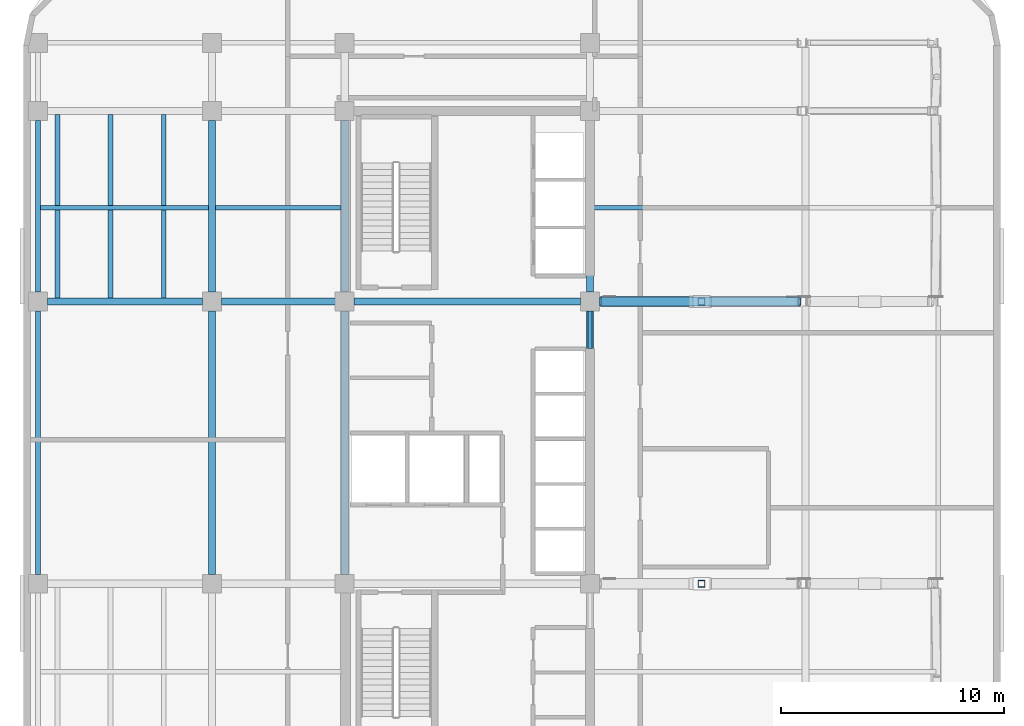
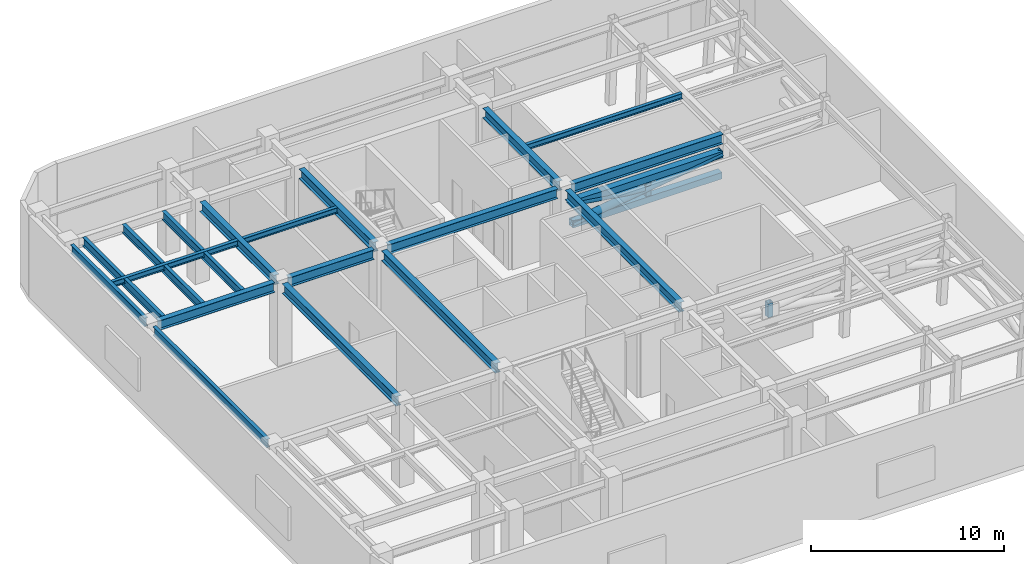
# One storey, part 2 of 12: 19 beams, 6 members.
"""IFC4 building model written with IfcOpenShell, lengths in metres."""

from ifc_helpers import new_model, si_unit, direction, frame, origin, origin_2d, place, context, subcontext, project, spatial, hollow_rectangle, hollow_circle, i_section, extrude, material, material_profile, profile_set, type_object, element, save


model = new_model("IFC4")

# Units and contexts
model_context = context("Model", 3, precision=1e-05, world=origin(), true_north=direction((0.0, 1.0)))
body_context = subcontext(model_context, "Body", "Model", "MODEL_VIEW")
ifc_project = project(units=[si_unit("LENGTHUNIT", "METRE"), si_unit("AREAUNIT", "SQUARE_METRE"), si_unit("VOLUMEUNIT", "CUBIC_METRE"), si_unit("PLANEANGLEUNIT", "RADIAN"), si_unit("MASSUNIT", "GRAM", prefix="KILO")], contexts=[model_context])

# Site, building, storey
site_placement = place(None, origin())
site = spatial("IfcSite", under=ifc_project, at=site_placement, CompositionType="ELEMENT")
building_placement = place(site_placement, origin())
building = spatial("IfcBuilding", under=site, at=building_placement, Name="Ochreholt Gables", CompositionType="ELEMENT")
storey_placement = place(building_placement, frame((0.0, 0.0, 135.60009765625)))
storey = spatial("IfcBuildingStorey", under=building, at=storey_placement, Name="L35", CompositionType="ELEMENT", Elevation=135.60009765625)

# Beams
ifc_material = material(Name="Steel CSA G40.21 350W", Category="steel")
ifc_material_profile_1 = material_profile(ifc_material, i_section(OverallWidth=0.2109375, OverallDepth=0.5390625, WebThickness=0.01171875, FlangeThickness=0.018798828125, at=origin_2d()), Name="W530X109")
ifc_profile_set_1 = profile_set([ifc_material_profile_1], Name="Steel CSA G40.21 350W")
beam_type_1 = type_object("IfcBeamType", Name="BM-G-W530A", PredefinedType="BEAM", material=ifc_profile_set_1)
for number, where, z_axis, x_axis, name in (
    (1, (11.320068359375, 30.361572265625, 4.890380859375), (0.0, 1.0, 0.0), (-1.0, 0.0, 0.0), "L35 Beam BTG-L35-36W2W"),
    (2, (13.699951171875, 30.361572265625, 4.890380859375), (0.0, 1.0, 0.0), (-1.0, 0.0, 0.0), "L35 Beam BTG-L35-36W2R"),
    (3, (16.080078125, 30.361572265625, 4.890380859375), (0.0, 1.0, 0.0), (-1.0, 0.0, 0.0), "L35 Beam BTG-L35-36W2E"),
):
    element("IfcBeam", number, at=place(storey_placement, frame(where, z_axis=z_axis, x_axis=x_axis)), inside=storey, type_object=beam_type_1, Name=name, PredefinedType="BEAM", context=body_context, shape_type="SweptSolid", body=[
        extrude(i_section(OverallWidth=0.2109375, OverallDepth=0.5390625, WebThickness=0.01171875, FlangeThickness=0.018798828125, at=origin_2d()), origin(), (0.0, 0.0, 1.0), 8.226806640625),
    ])
ifc_material_profile_2 = material_profile(ifc_material, i_section(OverallWidth=0.323974609375, OverallDepth=0.611083984375, WebThickness=0.0126953125, FlangeThickness=0.01904296875, at=origin_2d()), Name="W610X155")
ifc_profile_set_2 = profile_set([ifc_material_profile_2], Name="Steel CSA G40.21 350W")
beam_type_2 = type_object("IfcBeamType", Name="BM-G-W610A", PredefinedType="BEAM", material=ifc_profile_set_2)
beam_1_placement = place(storey_placement, frame((10.87451171875, 30.199951171875, 4.8544921875), z_axis=(1.0, 0.0, 0.0), x_axis=(0.0, 1.0, 0.0)))
element("IfcBeam", 4, at=beam_1_placement, inside=storey, type_object=beam_type_2, Name="L35 Beam TBG-L35-W2W3-Y4", PredefinedType="BEAM", context=body_context, shape_type="SweptSolid", body=[
    extrude(i_section(OverallWidth=0.323974609375, OverallDepth=0.611083984375, WebThickness=0.0126953125, FlangeThickness=0.01904296875, at=origin_2d()), origin(), (0.0, 0.0, 1.0), 6.950927734375),
])
beam_2_placement = place(storey_placement, frame((18.674560546875, 30.199951171875, 4.8544921875), z_axis=(1.0, 0.0, 0.0), x_axis=(0.0, 1.0, 0.0)))
element("IfcBeam", 5, at=beam_2_placement, inside=storey, type_object=beam_type_2, Name="L35 Beam TBG-L35-W3C1-Y4", PredefinedType="BEAM", context=body_context, shape_type="SweptSolid", body=[
    extrude(i_section(OverallWidth=0.323974609375, OverallDepth=0.611083984375, WebThickness=0.0126953125, FlangeThickness=0.01904296875, at=origin_2d()), origin(), (0.0, 0.0, 1.0), 5.100830078125),
])
beam_3_placement = place(storey_placement, frame((24.62451171875, 30.199951171875, 4.8544921875), z_axis=(1.0, 0.0, 0.0), x_axis=(0.0, 1.0, 0.0)))
element("IfcBeam", 6, at=beam_3_placement, inside=storey, type_object=beam_type_2, Name="L35 Beam TBG-L35-C1C2-Y4", PredefinedType="BEAM", context=body_context, shape_type="SweptSolid", body=[
    extrude(i_section(OverallWidth=0.323974609375, OverallDepth=0.611083984375, WebThickness=0.0126953125, FlangeThickness=0.01904296875, at=origin_2d()), origin(), (0.0, 0.0, 1.0), 10.15087890625),
])
beam_4_placement = place(storey_placement, frame((35.62451171875, 30.199951171875, 4.8544921875), z_axis=(1.0, 0.0, 0.0), x_axis=(0.0, 1.0, 0.0)))
element("IfcBeam", 7, at=beam_4_placement, inside=storey, type_object=beam_type_2, Name="L35 Beam TBG-L35-C2EM-Y4", PredefinedType="BEAM", context=body_context, shape_type="SweptSolid", body=[
    extrude(i_section(OverallWidth=0.323974609375, OverallDepth=0.611083984375, WebThickness=0.0126953125, FlangeThickness=0.01904296875, at=origin_2d()), origin(), (0.0, 0.0, 1.0), 9.0439453125),
])
beam_5_placement = place(storey_placement, frame((18.25, 17.974609375, 4.8544921875), z_axis=(0.0, 1.0, 0.0), x_axis=(-1.0, 0.0, 0.0)))
element("IfcBeam", 8, at=beam_5_placement, inside=storey, type_object=beam_type_2, Name="L35 Beam TBN-L35-W3-Y3Y4", PredefinedType="BEAM", context=body_context, shape_type="SweptSolid", body=[
    extrude(i_section(OverallWidth=0.323974609375, OverallDepth=0.611083984375, WebThickness=0.0126953125, FlangeThickness=0.01904296875, at=origin_2d()), origin(), (0.0, 0.0, 1.0), 11.80078125),
])
beam_6_placement = place(storey_placement, frame((18.25, 30.62451171875, 4.8544921875), z_axis=(0.0, 1.0, 0.0), x_axis=(-1.0, 0.0, 0.0)))
element("IfcBeam", 9, at=beam_6_placement, inside=storey, type_object=beam_type_2, Name="L35 Beam TBN-L35-W3-Y4Y5", PredefinedType="BEAM", context=body_context, shape_type="SweptSolid", body=[
    extrude(i_section(OverallWidth=0.323974609375, OverallDepth=0.611083984375, WebThickness=0.0126953125, FlangeThickness=0.01904296875, at=origin_2d()), origin(), (0.0, 0.0, 1.0), 7.700927734375),
])
beam_7_placement = place(storey_placement, frame((24.199951171875, 17.974609375, 4.8544921875), z_axis=(0.0, 1.0, 0.0), x_axis=(-1.0, 0.0, 0.0)))
element("IfcBeam", 10, at=beam_7_placement, inside=storey, type_object=beam_type_2, Name="L35 Beam TBN-L35-C1-Y3Y4", PredefinedType="BEAM", context=body_context, shape_type="SweptSolid", body=[
    extrude(i_section(OverallWidth=0.323974609375, OverallDepth=0.611083984375, WebThickness=0.0126953125, FlangeThickness=0.01904296875, at=origin_2d()), origin(), (0.0, 0.0, 1.0), 11.80078125),
])
beam_8_placement = place(storey_placement, frame((24.199951171875, 30.62451171875, 4.8544921875), z_axis=(0.0, 1.0, 0.0), x_axis=(-1.0, 0.0, 0.0)))
element("IfcBeam", 11, at=beam_8_placement, inside=storey, type_object=beam_type_2, Name="L35 Beam TBN-L35-C1-Y4Y5", PredefinedType="BEAM", context=body_context, shape_type="SweptSolid", body=[
    extrude(i_section(OverallWidth=0.323974609375, OverallDepth=0.611083984375, WebThickness=0.0126953125, FlangeThickness=0.01904296875, at=origin_2d()), origin(), (0.0, 0.0, 1.0), 7.700927734375),
])
beam_9_placement = place(storey_placement, frame((35.199951171875, 17.974609375, 4.8544921875), z_axis=(0.0, 1.0, 0.0), x_axis=(-1.0, 0.0, 0.0)))
element("IfcBeam", 12, at=beam_9_placement, inside=storey, type_object=beam_type_2, Name="L35 Beam TBN-L35-C2-Y3Y4", PredefinedType="BEAM", context=body_context, shape_type="SweptSolid", body=[
    extrude(i_section(OverallWidth=0.323974609375, OverallDepth=0.611083984375, WebThickness=0.0126953125, FlangeThickness=0.01904296875, at=origin_2d()), origin(), (0.0, 0.0, 1.0), 11.80078125),
])
beam_10_placement = place(storey_placement, frame((35.199951171875, 30.62451171875, 4.8544921875), z_axis=(0.0, 1.0, 0.0), x_axis=(-1.0, 0.0, 0.0)))
element("IfcBeam", 13, at=beam_10_placement, inside=storey, type_object=beam_type_2, Name="L35 Beam TBN-L35-C2-Y4Y5", PredefinedType="BEAM", context=body_context, shape_type="SweptSolid", body=[
    extrude(i_section(OverallWidth=0.323974609375, OverallDepth=0.611083984375, WebThickness=0.0126953125, FlangeThickness=0.01904296875, at=origin_2d()), origin(), (0.0, 0.0, 1.0), 7.700927734375),
])
ifc_material_profile_3 = material_profile(ifc_material, i_section(OverallWidth=0.205078125, OverallDepth=0.35400390625, WebThickness=0.009521484375, FlangeThickness=0.016845703125, at=origin_2d()), Name="W360X79")
ifc_profile_set_3 = profile_set([ifc_material_profile_3], Name="Steel CSA G40.21 350W")
beam_type_3 = type_object("IfcBeamType", Name="BM-J-W360A", PredefinedType="JOIST", material=ifc_profile_set_3)
beam_11_placement = place(storey_placement, frame((10.55419921875, 34.39990234375, 4.98291015625), z_axis=(1.0, 0.0, 0.0), x_axis=(0.0, 1.0, 0.0)))
element("IfcBeam", 14, at=beam_11_placement, inside=storey, type_object=beam_type_3, Name="L35 Beam TBJ-L35-J2-W2W3", PredefinedType="JOIST", context=body_context, shape_type="SweptSolid", body=[
    extrude(i_section(OverallWidth=0.205078125, OverallDepth=0.35400390625, WebThickness=0.009521484375, FlangeThickness=0.016845703125, at=origin_2d()), origin(), (0.0, 0.0, 1.0), 7.5341796875),
])
beam_12_placement = place(storey_placement, frame((18.41162109375, 34.39990234375, 4.98291015625), z_axis=(1.0, 0.0, 0.0), x_axis=(0.0, 1.0, 0.0)))
element("IfcBeam", 15, at=beam_12_placement, inside=storey, type_object=beam_type_3, Name="L35 Beam TBJ-L35-J2-W3C1", PredefinedType="JOIST", context=body_context, shape_type="SweptSolid", body=[
    extrude(i_section(OverallWidth=0.205078125, OverallDepth=0.35400390625, WebThickness=0.009521484375, FlangeThickness=0.016845703125, at=origin_2d()), origin(), (0.0, 0.0, 1.0), 5.626708984375),
])
beam_13_placement = place(storey_placement, frame((35.361572265625, 34.39990234375, 4.98291015625), z_axis=(1.0, 0.0, 0.0), x_axis=(0.0, 1.0, 0.0)))
element("IfcBeam", 16, at=beam_13_placement, inside=storey, type_object=beam_type_3, Name="L35 Beam TBJ-L35-J2-C2EM", PredefinedType="JOIST", context=body_context, shape_type="SweptSolid", body=[
    extrude(i_section(OverallWidth=0.205078125, OverallDepth=0.35400390625, WebThickness=0.009521484375, FlangeThickness=0.016845703125, at=origin_2d()), origin(), (0.0, 0.0, 1.0), 9.330810546875),
])
ifc_material_profile_4 = material_profile(ifc_material, i_section(OverallWidth=0.1650390625, OverallDepth=0.200927734375, WebThickness=0.006103515625, FlangeThickness=0.01025390625, at=origin_2d()), Name="W200X36")
ifc_profile_set_4 = profile_set([ifc_material_profile_4], Name="Steel CSA G40.21 350W")
beam_type_4 = type_object("IfcBeamType", Name="BM-LIN-W200", PredefinedType="LINTEL", material=ifc_profile_set_4)
beam_14_placement = place(storey_placement, frame((35.199951171875, 28.10009765625, 4.448486328125), z_axis=(0.0, 1.0, 0.0), x_axis=(-1.0, 0.0, 0.0)))
element("IfcBeam", 17, at=beam_14_placement, inside=storey, type_object=beam_type_4, Name="L35 Core Coupling Lintel CPN", PredefinedType="LINTEL", context=body_context, shape_type="SweptSolid", body=[
    extrude(i_section(OverallWidth=0.1650390625, OverallDepth=0.200927734375, WebThickness=0.006103515625, FlangeThickness=0.01025390625, at=origin_2d()), origin(), (0.0, 0.0, 1.0), 1.6748046875),
])
ifc_material_profile_5 = material_profile(ifc_material, i_section(OverallWidth=0.208984375, OverallDepth=0.532958984375, WebThickness=0.01025390625, FlangeThickness=0.015625, at=origin_2d()), Name="W530X92")
ifc_profile_set_5 = profile_set([ifc_material_profile_5], Name="Steel CSA G40.21 350W")
beam_type_5 = type_object("IfcBeamType", Name="BM-SP-W530B", PredefinedType="SPANDREL", material=ifc_profile_set_5)
beam_15_placement = place(storey_placement, frame((10.449951171875, 17.974609375, 4.893310546875), z_axis=(0.0, 1.0, 0.0), x_axis=(-1.0, 0.0, 0.0)))
element("IfcBeam", 18, at=beam_15_placement, inside=storey, type_object=beam_type_5, Name="L35 Beam TBN-L35-W2-Y3Y4", PredefinedType="SPANDREL", context=body_context, shape_type="SweptSolid", body=[
    extrude(i_section(OverallWidth=0.208984375, OverallDepth=0.532958984375, WebThickness=0.01025390625, FlangeThickness=0.015625, at=origin_2d()), origin(), (0.0, 0.0, 1.0), 11.80078125),
])
beam_16_placement = place(storey_placement, frame((10.449951171875, 30.62451171875, 4.893310546875), z_axis=(0.0, 1.0, 0.0), x_axis=(-1.0, 0.0, 0.0)))
element("IfcBeam", 19, at=beam_16_placement, inside=storey, type_object=beam_type_5, Name="L35 Beam TBN-L35-W2-Y4Y5", PredefinedType="SPANDREL", context=body_context, shape_type="SweptSolid", body=[
    extrude(i_section(OverallWidth=0.208984375, OverallDepth=0.532958984375, WebThickness=0.01025390625, FlangeThickness=0.015625, at=origin_2d()), origin(), (0.0, 0.0, 1.0), 7.700927734375),
])

# Members
ifc_material_profile_6 = material_profile(ifc_material, hollow_rectangle(XDim=0.304931640625, YDim=0.304931640625, WallThickness=0.0126953125, at=origin_2d()), Name="HSS305X305X13")
ifc_profile_set_6 = profile_set([ifc_material_profile_6], Name="Steel CSA G40.21 350W")
member_type_1 = type_object("IfcMemberType", Name="MEM-BL-PT1", PredefinedType="POST", material=ifc_profile_set_6)
for number, where, z_axis, x_axis, name in (
    (20, (40.19873046875, 17.550048828125, 2.802490234375), (0.0, 0.0, 1.0), (1.0, 0.0, 0.0), "L35 Outrigger Mid-Bay Post S"),
    (21, (40.19873046875, 30.199951171875, 2.802490234375), (0.0, 0.0, 1.0), (1.0, 0.0, 0.0), "L35 Outrigger Mid-Bay Post N"),
):
    element("IfcMember", number, at=place(storey_placement, frame(where, z_axis=z_axis, x_axis=x_axis)), inside=storey, type_object=member_type_1, Name=name, PredefinedType="POST", context=body_context, shape_type="SweptSolid", body=[
        extrude(hollow_rectangle(XDim=0.304931640625, YDim=0.304931640625, WallThickness=0.0126953125, at=origin_2d()), origin(), (0.0, 0.0, 1.0), 0.914794921875),
    ])
ifc_material_profile_7 = material_profile(ifc_material, hollow_circle(Radius=0.228515625, WallThickness=0.01611328125, at=origin_2d()), Name="CHS457X16")
ifc_profile_set_7 = profile_set([ifc_material_profile_7], Name="Steel CSA G40.21 350W")
member_type_2 = type_object("IfcMemberType", Name="MEM-OU-BR1", PredefinedType="BRACE", material=ifc_profile_set_7)
member_1_placement = place(storey_placement, frame((35.674560546875, 30.199951171875, 2.599853515625), z_axis=(0.989278596078, 0.0, 0.14604060854), x_axis=(0.0, 1.0, 0.0)))
element("IfcMember", 22, at=member_1_placement, inside=storey, type_object=member_type_2, Name="L35 Outrigger Truss N Continuous Diagonal 1", PredefinedType="BRACE", context=body_context, shape_type="SweptSolid", body=[
    extrude(hollow_circle(Radius=0.228515625, WallThickness=0.01611328125, at=origin_2d()), origin(), (0.0, 0.0, 1.0), 9.0390625),
])
member_2_placement = place(storey_placement, frame((39.9560546875, 30.199951171875, 3.28466796875), z_axis=(-0.989171337086, 0.0, 0.146765342938), x_axis=(0.0, -1.0, 0.0)))
element("IfcMember", 23, at=member_2_placement, inside=storey, type_object=member_type_2, Name="L35 Outrigger Truss N Split Diagonal 2B", PredefinedType="BRACE", context=body_context, shape_type="SweptSolid", body=[
    extrude(hollow_circle(Radius=0.228515625, WallThickness=0.01611328125, at=origin_2d()), origin(), (0.0, 0.0, 1.0), 4.328369140625),
])
ifc_material_profile_8 = material_profile(ifc_material, hollow_rectangle(XDim=0.406005859375, YDim=0.406005859375, WallThickness=0.01611328125, at=origin_2d()), Name="HSS406X406X16")
ifc_profile_set_8 = profile_set([ifc_material_profile_8], Name="Steel CSA G40.21 350W")
member_type_3 = type_object("IfcMemberType", Name="MEM-OU-CH1", PredefinedType="CHORD", material=ifc_profile_set_8)
member_3_placement = place(storey_placement, frame((35.62451171875, 30.199951171875, 2.599853515625), z_axis=(1.0, 0.0, 0.0), x_axis=(0.0, 1.0, 0.0)))
element("IfcMember", 24, at=member_3_placement, inside=storey, type_object=member_type_3, Name="L35 Outrigger Truss N Bottom Chord 1", PredefinedType="CHORD", context=body_context, shape_type="SweptSolid", body=[
    extrude(hollow_rectangle(XDim=0.406005859375, YDim=0.406005859375, WallThickness=0.01611328125, at=origin_2d()), origin(), (0.0, 0.0, 1.0), 8.94580078125),
])
member_4_placement = place(storey_placement, frame((35.62451171875, 30.199951171875, 3.919921875), z_axis=(1.0, 0.0, 0.0), x_axis=(0.0, 1.0, 0.0)))
element("IfcMember", 25, at=member_4_placement, inside=storey, type_object=member_type_3, Name="L35 Outrigger Truss N Top Chord 1", PredefinedType="CHORD", context=body_context, shape_type="SweptSolid", body=[
    extrude(hollow_rectangle(XDim=0.406005859375, YDim=0.406005859375, WallThickness=0.01611328125, at=origin_2d()), origin(), (0.0, 0.0, 1.0), 8.9921875),
])

save(model, "model.ifc")
